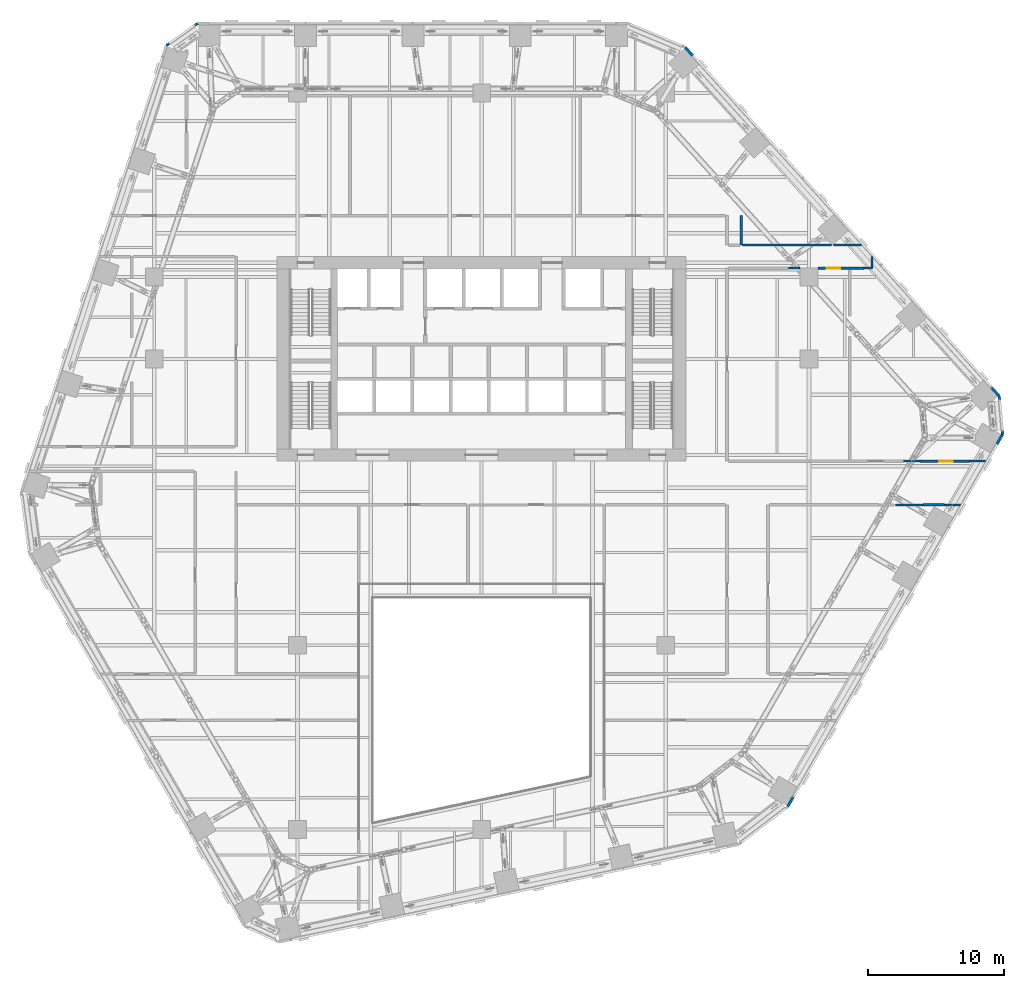
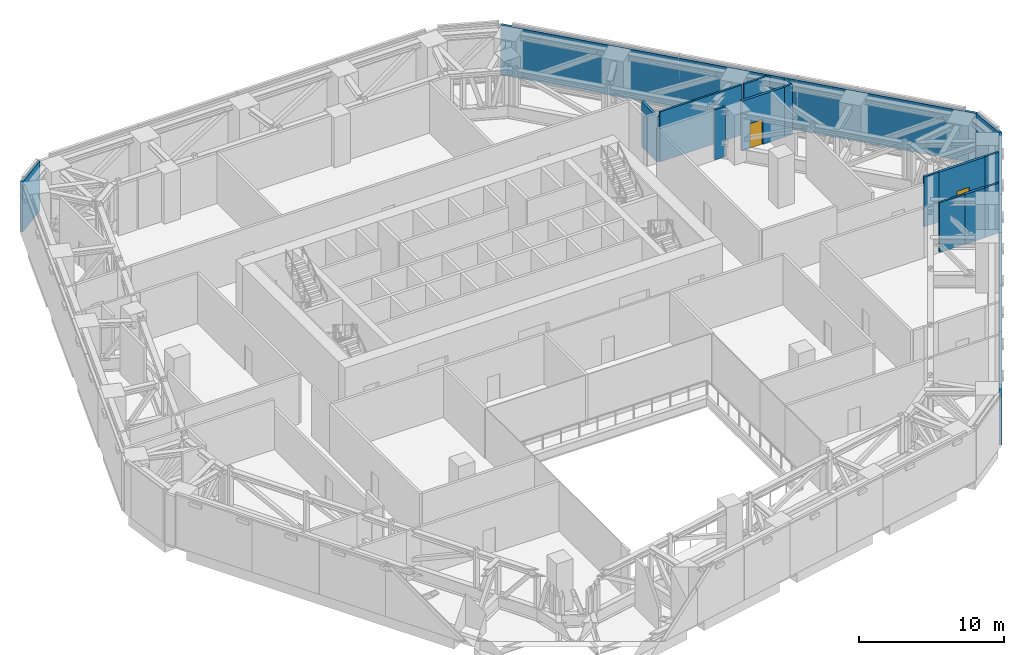
# One storey, part 24 of 36: 17 walls, 2 doors, 2 openings.
"""IFC4 building model written with IfcOpenShell, lengths in metres."""

from ifc_helpers import new_model, si_unit, direction, frame, frame_2d, origin, place, context, subcontext, project, spatial, rectangle, extrude, material, layer, layer_set, type_object, element, fill, save


model = new_model("IFC4")

# Units and contexts
model_context = context("Model", 3, precision=1e-05, world=origin(), true_north=direction((0.0, 1.0)))
body_context = subcontext(model_context, "Body", "Model", "MODEL_VIEW")
ifc_project = project(units=[si_unit("LENGTHUNIT", "METRE"), si_unit("AREAUNIT", "SQUARE_METRE"), si_unit("VOLUMEUNIT", "CUBIC_METRE"), si_unit("PLANEANGLEUNIT", "RADIAN"), si_unit("MASSUNIT", "GRAM", prefix="KILO")], contexts=[model_context])

# Site, building, storey
site_placement = place(None, origin())
site = spatial("IfcSite", under=ifc_project, at=site_placement, CompositionType="ELEMENT")
building_placement = place(site_placement, origin())
building = spatial("IfcBuilding", under=site, at=building_placement, Name="Isthmus Gate Tower", CompositionType="ELEMENT")
storey_placement = place(building_placement, frame((0.0, 0.0, 117.14990234375)))
storey = spatial("IfcBuildingStorey", under=building, at=storey_placement, Name="L28", CompositionType="ELEMENT", Elevation=117.14990234375)

# Wall
ifc_material_1 = material(Name="Concrete f'c 30 MPa", Category="concrete")
ifc_layer_1 = layer(ifc_material_1, 0.199951171875)
ifc_layer_set_1 = layer_set([ifc_layer_1], Name="Fire-rated block wall 200")
wall_type_1 = type_object("IfcWallType", Name="Fire-rated block wall 200", PredefinedType="PARTITIONING", material=ifc_layer_set_1)
wall_1_placement = place(storey_placement, frame((32.35595703125, -3.199951171875, 0.0), z_axis=(0.0, 0.0, 1.0), x_axis=(1.0, 0.0, 0.0)))
element("IfcWall", 1, at=wall_1_placement, inside=storey, type_object=wall_type_1, Name="Fire-rated wall", PredefinedType="PARTITIONING", context=body_context, shape_type="SweptSolid", body=[
    extrude(rectangle(XDim=1.59228515625, YDim=0.199951171875, at=frame_2d((0.796142578125, 0.0))), origin(), (0.0, 0.0, 1.0), 4.2001953125),
])

# Wall, opening, door
wall_2_placement = place(storey_placement, frame((32.14599609375, 0.0, 0.0), z_axis=(0.0, 0.0, 1.0), x_axis=(1.0, 0.0, 0.0)))
wall_2 = element("IfcWall", 2, at=wall_2_placement, inside=storey, type_object=wall_type_1, Name="Fire-rated wall", PredefinedType="PARTITIONING", context=body_context, shape_type="SweptSolid", body=[
    extrude(rectangle(XDim=3.649658203125, YDim=0.199951171875, at=frame_2d((1.82470703125, 0.0))), origin(), (0.0, 0.0, 1.0), 4.2001953125),
])
opening_1_placement = place(wall_2_placement, frame((1.39990234375, 0.0, 0.0)))
opening_1 = element("IfcOpeningElement", 3, at=opening_1_placement, cuts=wall_2, Name="Opening DP28-10", PredefinedType="OPENING", context=body_context, shape_type="SweptSolid", body=[
    extrude(rectangle(XDim=1.0, YDim=2.10009765625, at=frame_2d((0.5, 1.050048828125))), frame((0.0, 0.10986328125, 0.0), z_axis=(0.0, -1.0, 0.0), x_axis=(1.0, 0.0, 0.0)), (0.0, 0.0, 1.0), 0.219970703125),
])
ifc_material_2 = material(Name="Steel fire door with intumescent seals", Category="steel")
door_type = type_object("IfcDoorType", Name="Fire door 1000 x 2100", OperationType="SINGLE_SWING_LEFT", PredefinedType="DOOR", material=ifc_material_2)
door_1_placement = place(opening_1_placement, origin())
door_1 = element("IfcDoor", 4, at=door_1_placement, inside=storey, type_object=door_type, Name="Door DP28-10", OperationType="SINGLE_SWING_LEFT", OverallHeight=2.10009765625, OverallWidth=1.0, PredefinedType="DOOR", context=body_context, shape_type="SweptSolid", body=[
    extrude(rectangle(XDim=1.0, YDim=2.10009765625, at=frame_2d((0.5, 1.050048828125))), frame((0.0, 0.02490234375, 0.0), z_axis=(0.0, -1.0, 0.0), x_axis=(1.0, 0.0, 0.0)), (0.0, 0.0, 1.0), 0.050048828125),
])
fill(opening_1, door_1)

wall_3_placement = place(storey_placement, frame((24.64990234375, 14.14990234375, 0.0), z_axis=(0.0, 0.0, 1.0), x_axis=(1.0, 0.0, 0.0)))
wall_3 = element("IfcWall", 5, at=wall_3_placement, inside=storey, type_object=wall_type_1, Name="Fire-rated wall", PredefinedType="PARTITIONING", context=body_context, shape_type="SweptSolid", body=[
    extrude(rectangle(XDim=3.383056640625, YDim=0.199951171875, at=frame_2d((1.69140625, 0.0))), origin(), (0.0, 0.0, 1.0), 4.2001953125),
])
opening_2_placement = place(wall_3_placement, frame((0.64990234375, 0.0, 0.0)))
opening_2 = element("IfcOpeningElement", 6, at=opening_2_placement, cuts=wall_3, Name="Opening DP28-09", PredefinedType="OPENING", context=body_context, shape_type="SweptSolid", body=[
    extrude(rectangle(XDim=1.0, YDim=2.10009765625, at=frame_2d((0.5, 1.050048828125))), frame((0.0, 0.10986328125, 0.0), z_axis=(0.0, -1.0, 0.0), x_axis=(1.0, 0.0, 0.0)), (0.0, 0.0, 1.0), 0.219970703125),
])
door_2_placement = place(opening_2_placement, origin())
door_2 = element("IfcDoor", 7, at=door_2_placement, inside=storey, type_object=door_type, Name="Door DP28-09", OperationType="SINGLE_SWING_LEFT", OverallHeight=2.10009765625, OverallWidth=1.0, PredefinedType="DOOR", context=body_context, shape_type="SweptSolid", body=[
    extrude(rectangle(XDim=1.0, YDim=2.10009765625, at=frame_2d((0.5, 1.050048828125))), frame((0.0, 0.02490234375, 0.0), z_axis=(0.0, -1.0, 0.0), x_axis=(1.0, 0.0, 0.0)), (0.0, 0.0, 1.0), 0.050048828125),
])
fill(opening_2, door_2)

# Walls
wall_4_placement = place(storey_placement, frame((19.031982421875, 15.83837890625, 0.0), z_axis=(0.0, 0.0, 1.0), x_axis=(0.0, 1.0, 0.0)))
element("IfcWall", 8, at=wall_4_placement, inside=storey, type_object=wall_type_1, Name="Fire-rated wall", PredefinedType="PARTITIONING", context=body_context, shape_type="SweptSolid", body=[
    extrude(rectangle(XDim=2.16162109375, YDim=0.199951171875, at=frame_2d((1.080810546875, 0.0))), origin(), (0.0, 0.0, 1.0), 3.796875),
])
wall_5_placement = place(storey_placement, frame((14.92431640625, 30.3525390625, 0.0), z_axis=(0.0, 0.0, 1.0), x_axis=(0.669133646521, -0.743142088092, 0.0)))
element("IfcWall", 9, at=wall_5_placement, inside=storey, type_object=wall_type_1, Name="Fire-rated wall", PredefinedType="PARTITIONING", context=body_context, shape_type="SweptSolid", body=[
    extrude(rectangle(XDim=34.413330078125, YDim=0.199951171875, at=frame_2d((17.20654296875, 0.0))), origin(), (0.0, 0.0, 1.0), 4.2001953125),
])
wall_6_placement = place(storey_placement, frame((37.951416015625, 4.778564453125, 0.0), z_axis=(0.0, 0.0, 1.0), x_axis=(0.089356834429, -0.995999676777, 0.0)))
element("IfcWall", 10, at=wall_6_placement, inside=storey, type_object=wall_type_1, Name="Fire-rated wall", PredefinedType="PARTITIONING", context=body_context, shape_type="SweptSolid", body=[
    extrude(rectangle(XDim=2.819580078125, YDim=0.199951171875, at=frame_2d((1.40966796875, 0.0))), origin(), (0.0, 0.0, 1.0), 4.2001953125),
])
wall_7_placement = place(storey_placement, frame((38.203369140625, 1.97021484375, 0.0), z_axis=(0.0, 0.0, 1.0), x_axis=(-0.499999050453, -0.866025952005, 0.0)))
element("IfcWall", 11, at=wall_7_placement, inside=storey, type_object=wall_type_1, Name="Fire-rated wall", PredefinedType="PARTITIONING", context=body_context, shape_type="SweptSolid", body=[
    extrude(rectangle(XDim=31.52978515625, YDim=0.199951171875, at=frame_2d((15.764892578125, 0.0))), origin(), (0.0, 0.0, 1.0), 4.2001953125),
])
wall_8_placement = place(storey_placement, frame((-23.114013671875, 30.4775390625, 0.0), z_axis=(0.0, 0.0, 1.0), x_axis=(0.817854711769, 0.575424773917, 0.0)))
element("IfcWall", 12, at=wall_8_placement, inside=storey, type_object=wall_type_1, Name="Fire-rated wall", PredefinedType="PARTITIONING", context=body_context, shape_type="SweptSolid", body=[
    extrude(rectangle(XDim=2.81982421875, YDim=0.199951171875, at=frame_2d((1.409912109375, 0.0))), origin(), (0.0, 0.0, 1.0), 4.2001953125),
])
ifc_material_3 = material(Name="Gypsum board on cold-formed steel studs", Category="steel")
ifc_layer_2 = layer(ifc_material_3, 0.14990234375)
ifc_layer_set_2 = layer_set([ifc_layer_2])
wall_type_2 = type_object("IfcWallType", Name="Partition 150 gypsum board on steel studs", PredefinedType="PARTITIONING", material=ifc_layer_set_2)
wall_9_placement = place(storey_placement, frame((30.35791015625, -3.199951171875, 0.0), z_axis=(0.0, 0.0, 1.0), x_axis=(1.0, 0.0, 0.0)))
element("IfcWall", 13, at=wall_9_placement, inside=storey, type_object=wall_type_2, Name="Partition", PredefinedType="PARTITIONING", context=body_context, shape_type="SweptSolid", body=[
    extrude(rectangle(XDim=1.9970703125, YDim=0.14990234375, at=frame_2d((0.99853515625, 0.0))), origin(), (0.0, 0.0, 1.0), 4.2001953125),
])
wall_10_placement = place(storey_placement, frame((33.94921875, -3.199951171875, 0.0), z_axis=(0.0, 0.0, 1.0), x_axis=(1.0, 0.0, 0.0)))
element("IfcWall", 14, at=wall_10_placement, inside=storey, type_object=wall_type_2, Name="Partition", PredefinedType="PARTITIONING", context=body_context, shape_type="SweptSolid", body=[
    extrude(rectangle(XDim=1.153564453125, YDim=0.14990234375, at=frame_2d((0.57666015625, 0.0))), origin(), (0.0, 0.0, 1.0), 4.2001953125),
])
wall_11_placement = place(storey_placement, frame((30.947021484375, 0.0, 0.0), z_axis=(0.0, 0.0, 1.0), x_axis=(1.0, 0.0, 0.0)))
element("IfcWall", 15, at=wall_11_placement, inside=storey, type_object=wall_type_2, Name="Partition", PredefinedType="PARTITIONING", context=body_context, shape_type="SweptSolid", body=[
    extrude(rectangle(XDim=1.197998046875, YDim=0.14990234375, at=frame_2d((0.59912109375, 0.0))), origin(), (0.0, 0.0, 1.0), 4.2001953125),
])
wall_12_placement = place(storey_placement, frame((35.796875, 0.0, 0.0), z_axis=(0.0, 0.0, 1.0), x_axis=(1.0, 0.0, 0.0)))
element("IfcWall", 16, at=wall_12_placement, inside=storey, type_object=wall_type_2, Name="Partition", PredefinedType="PARTITIONING", context=body_context, shape_type="SweptSolid", body=[
    extrude(rectangle(XDim=1.153564453125, YDim=0.14990234375, at=frame_2d((0.57666015625, 0.0))), origin(), (0.0, 0.0, 1.0), 4.2001953125),
])
wall_13_placement = place(storey_placement, frame((22.500244140625, 14.14990234375, 0.0), z_axis=(0.0, 0.0, 1.0), x_axis=(1.0, 0.0, 0.0)))
element("IfcWall", 17, at=wall_13_placement, inside=storey, type_object=wall_type_2, Name="Partition", PredefinedType="PARTITIONING", context=body_context, shape_type="SweptSolid", body=[
    extrude(rectangle(XDim=0.849853515625, YDim=0.14990234375, at=frame_2d((0.4248046875, 0.0))), origin(), (0.0, 0.0, 1.0), 4.2001953125),
])
wall_14_placement = place(storey_placement, frame((28.0341796875, 14.14990234375, 0.0), z_axis=(0.0, 0.0, 1.0), x_axis=(1.0, 0.0, 0.0)))
element("IfcWall", 18, at=wall_14_placement, inside=storey, type_object=wall_type_2, Name="Partition", PredefinedType="PARTITIONING", context=body_context, shape_type="SweptSolid", body=[
    extrude(rectangle(XDim=0.64453125, YDim=0.14990234375, at=frame_2d((0.322265625, 0.0))), origin(), (0.0, 0.0, 1.0), 4.2001953125),
])
wall_15_placement = place(storey_placement, frame((19.132080078125, 15.8369140625, 0.0), z_axis=(0.0, 0.0, 1.0), x_axis=(1.0, 0.0, 0.0)))
element("IfcWall", 19, at=wall_15_placement, inside=storey, type_object=wall_type_2, Name="Partition", PredefinedType="PARTITIONING", context=body_context, shape_type="SweptSolid", body=[
    extrude(rectangle(XDim=6.5068359375, YDim=0.14990234375, at=frame_2d((3.25341796875, 0.0))), origin(), (0.0, 0.0, 1.0), 4.2001953125),
])
wall_16_placement = place(storey_placement, frame((25.7890625, 15.8369140625, 0.0), z_axis=(0.0, 0.0, 1.0), x_axis=(1.0, 0.0, 0.0)))
element("IfcWall", 20, at=wall_16_placement, inside=storey, type_object=wall_type_2, Name="Partition", PredefinedType="PARTITIONING", context=body_context, shape_type="SweptSolid", body=[
    extrude(rectangle(XDim=2.070556640625, YDim=0.14990234375, at=frame_2d((1.03515625, 0.0))), origin(), (0.0, 0.0, 1.0), 4.2001953125),
])
wall_17_placement = place(storey_placement, frame((28.613037109375, 14.14990234375, 0.0), z_axis=(0.0, 0.0, 1.0), x_axis=(0.0, 1.0, 0.0)))
element("IfcWall", 21, at=wall_17_placement, inside=storey, type_object=wall_type_2, Name="Partition", PredefinedType="PARTITIONING", context=body_context, shape_type="SweptSolid", body=[
    extrude(rectangle(XDim=0.850341796875, YDim=0.14990234375, at=frame_2d((0.42529296875, 0.0))), origin(), (0.0, 0.0, 1.0), 4.2001953125),
])

save(model, "model.ifc")
